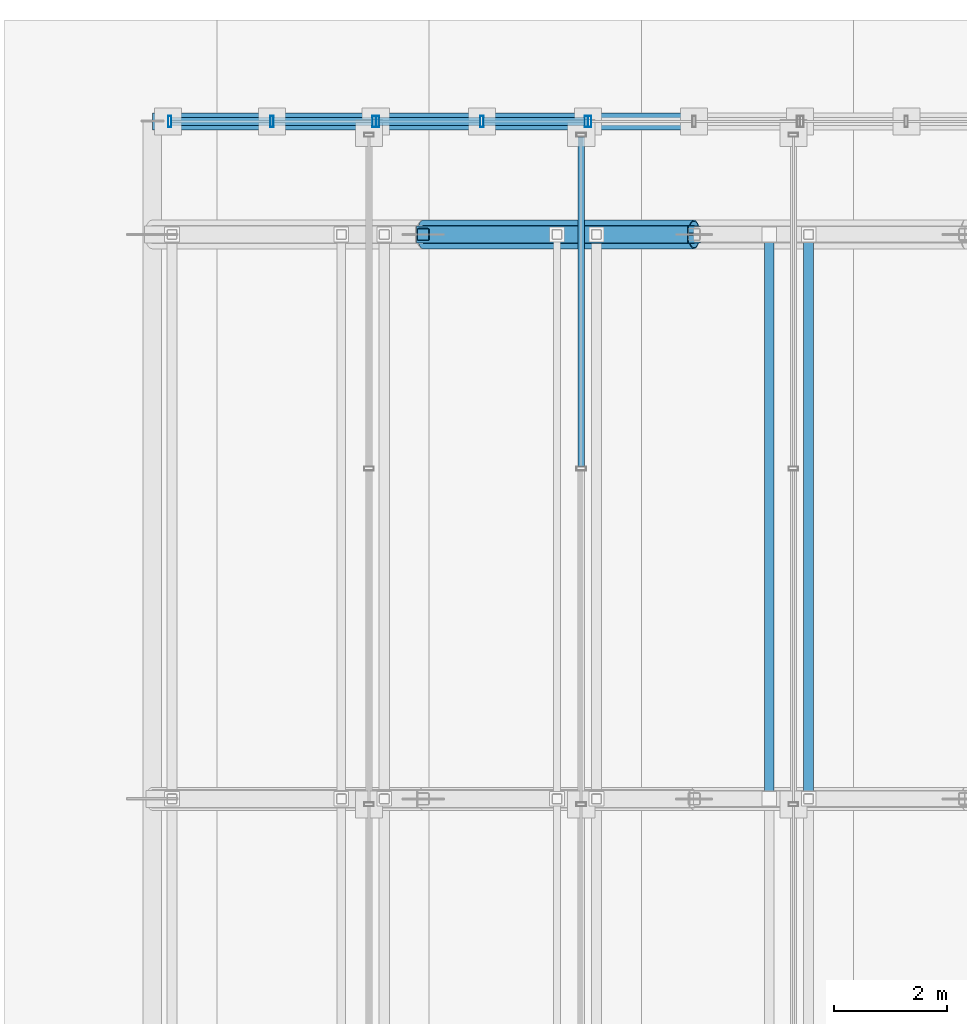
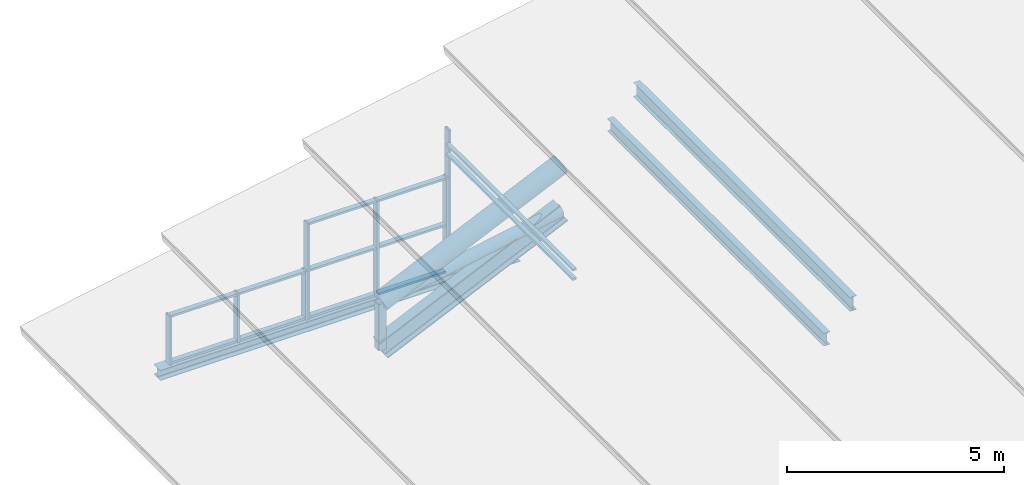
# One storey, part 32 of 117: 25 members, 1 beam, 4 elements without a shape of their own.
"""IFC4 building model written with IfcOpenShell, lengths in metres."""

from ifc_helpers import new_model, si_unit, direction, frame, origin, origin_2d, place, context, subcontext, project, spatial, hollow_rectangle, hollow_circle, i_section, extrude, material, material_profile, profile_set, type_object, element, aggregate, save


model = new_model("IFC4")

# Units and contexts
model_context = context("Model", 3, precision=1e-05, world=origin(), true_north=direction((0.0, 1.0)))
body_context = subcontext(model_context, "Body", "Model", "MODEL_VIEW")
ifc_project = project(units=[si_unit("LENGTHUNIT", "METRE"), si_unit("AREAUNIT", "SQUARE_METRE"), si_unit("VOLUMEUNIT", "CUBIC_METRE"), si_unit("PLANEANGLEUNIT", "RADIAN"), si_unit("MASSUNIT", "GRAM", prefix="KILO")], contexts=[model_context])

# Site, building, storey
site_placement = place(None, origin())
site = spatial("IfcSite", under=ifc_project, at=site_placement, CompositionType="ELEMENT")
building_placement = place(site_placement, origin())
building = spatial("IfcBuilding", under=site, at=building_placement, Name="Merenkruunu Market Hall", CompositionType="ELEMENT")
storey_placement = place(building_placement, frame((0.0, 0.0, 22.800048828125)))
storey = spatial("IfcBuildingStorey", under=building, at=storey_placement, Name="RF", CompositionType="ELEMENT", Elevation=22.800048828125)

# Members
ifc_material_1 = material(Name="Steel S355ML", Category="steel")
ifc_material_profile_1 = material_profile(ifc_material_1, hollow_circle(Radius=0.25390625, WallThickness=0.02001953125, at=origin_2d()), Name="CHS 508x20")
ifc_profile_set_1 = profile_set([ifc_material_profile_1], Name="Steel S355ML")
member_type_1 = type_object("IfcMemberType", Name="Arch Truss Chord TC01", PredefinedType="CHORD", material=ifc_profile_set_1)
member_1_placement = place(storey_placement, frame((4.800048828125, 109.60009765625, -7.316162109375), z_axis=(0.909419998666, 0.0, 0.415878907889), x_axis=(0.0, 1.0, 0.0)))
element("IfcMember", 1, at=member_1_placement, inside=storey, type_object=member_type_1, Name="TRUSS-AT-G-TOP-02", PredefinedType="CHORD", context=body_context, shape_type="SweptSolid", body=[
    extrude(hollow_circle(Radius=0.25390625, WallThickness=0.02001953125, at=origin_2d()), origin(), (0.0, 0.0, 1.0), 5.278076171875),
])
ifc_material_profile_2 = material_profile(ifc_material_1, i_section(OverallWidth=0.300048828125, OverallDepth=0.550048828125, WebThickness=0.014892578125, FlangeThickness=0.029052734375, FilletRadius=0.027099609375, at=origin_2d()), Name="HEB 550")
ifc_profile_set_2 = profile_set([ifc_material_profile_2], Name="Steel S355ML")
member_type_2 = type_object("IfcMemberType", Name="Arch Truss Chord TC03", PredefinedType="CHORD", material=ifc_profile_set_2)
member_2_placement = place(storey_placement, frame((4.800048828125, 109.60009765625, -8.615966796875), z_axis=(0.909437492245, 0.0, 0.415840651812), x_axis=(0.0, 1.0, 0.0)))
element("IfcMember", 2, at=member_2_placement, inside=storey, type_object=member_type_2, Name="TRUSS-AT-G-BOT-02", PredefinedType="CHORD", context=body_context, shape_type="SweptSolid", body=[
    extrude(i_section(OverallWidth=0.300048828125, OverallDepth=0.550048828125, WebThickness=0.014892578125, FlangeThickness=0.029052734375, FilletRadius=0.027099609375, at=origin_2d()), origin(), (0.0, 0.0, 1.0), 5.278076171875),
])

# Curtain wall, members
ifc_material_2 = material(Name="Powder-coated aluminium", Category="aluminium")
curtain_wall_type_1 = type_object("IfcCurtainWallType", Name="Clerestory Curtain Band CL03", PredefinedType="USERDEFINED", material=ifc_material_2)
curtain_wall_1_placement = place(storey_placement, origin())
curtain_wall_1 = element("IfcCurtainWall", 3, at=curtain_wall_1_placement, inside=storey, type_object=curtain_wall_type_1, Name="CW-RF-CWM03-067", ObjectType="CLERESTORY_BAND", PredefinedType="USERDEFINED")
ifc_material_profile_3 = material_profile(ifc_material_2, hollow_rectangle(XDim=0.06005859375, YDim=0.199951171875, WallThickness=0.0048828125, at=origin_2d()), Name="ALU 60x200x5")
ifc_profile_set_3 = profile_set([ifc_material_profile_3], Name="Powder-coated aluminium")
member_type_3 = type_object("IfcMemberType", Name="Curtain Wall Mullion CWM03", PredefinedType="MULLION", material=ifc_profile_set_3)
member_3_placement = place(storey_placement, frame((0.31005859375, 111.60009765625, -8.68994140625), z_axis=(0.0, 0.0, 1.0), x_axis=(1.0, 0.0, 0.0)))
member_3 = element("IfcMember", 4, at=member_3_placement, type_object=member_type_3, Name="CL03 mullion 1", PredefinedType="MULLION", context=body_context, shape_type="SweptSolid", body=[
    extrude(hollow_rectangle(XDim=0.06005859375, YDim=0.199951171875, WallThickness=0.0048828125, at=origin_2d()), origin(), (0.0, 0.0, 1.0), 1.369873046875),
])
member_4_placement = place(storey_placement, frame((2.1201171875, 111.60009765625, -8.68994140625), z_axis=(0.0, 0.0, 1.0), x_axis=(1.0, 0.0, 0.0)))
member_4 = element("IfcMember", 5, at=member_4_placement, type_object=member_type_3, Name="CL03 mullion 2", PredefinedType="MULLION", context=body_context, shape_type="SweptSolid", body=[
    extrude(hollow_rectangle(XDim=0.06005859375, YDim=0.199951171875, WallThickness=0.0048828125, at=origin_2d()), origin(), (0.0, 0.0, 1.0), 1.369873046875),
])
member_5_placement = place(storey_placement, frame((3.929931640625, 111.60009765625, -8.68994140625), z_axis=(0.0, 0.0, 1.0), x_axis=(1.0, 0.0, 0.0)))
member_5 = element("IfcMember", 6, at=member_5_placement, type_object=member_type_3, Name="CL03 mullion 3", PredefinedType="MULLION", context=body_context, shape_type="SweptSolid", body=[
    extrude(hollow_rectangle(XDim=0.06005859375, YDim=0.199951171875, WallThickness=0.0048828125, at=origin_2d()), origin(), (0.0, 0.0, 1.0), 1.369873046875),
])

curtain_wall_type_2 = type_object("IfcCurtainWallType", Name="Glazed Curtain Wall CW17", PredefinedType="USERDEFINED", material=ifc_material_2)
curtain_wall_2_placement = place(storey_placement, origin())
curtain_wall_2 = element("IfcCurtainWall", 7, at=curtain_wall_2_placement, inside=storey, type_object=curtain_wall_type_2, Name="CW-RF-CWM03-068", ObjectType="GLAZED_FACADE", PredefinedType="USERDEFINED")
member_6_placement = place(storey_placement, frame((3.989990234375, 111.60009765625, -8.68994140625), z_axis=(0.0, 0.0, 1.0), x_axis=(1.0, 0.0, 0.0)))
member_6 = element("IfcMember", 8, at=member_6_placement, type_object=member_type_3, Name="CW17 mullion 1", PredefinedType="MULLION", context=body_context, shape_type="SweptSolid", body=[
    extrude(hollow_rectangle(XDim=0.06005859375, YDim=0.199951171875, WallThickness=0.0048828125, at=origin_2d()), origin(), (0.0, 0.0, 1.0), 2.68994140625),
])
member_7_placement = place(storey_placement, frame((5.840087890625, 111.60009765625, -8.68994140625), z_axis=(0.0, 0.0, 1.0), x_axis=(1.0, 0.0, 0.0)))
member_7 = element("IfcMember", 9, at=member_7_placement, type_object=member_type_3, Name="CW17 mullion 2", PredefinedType="MULLION", context=body_context, shape_type="SweptSolid", body=[
    extrude(hollow_rectangle(XDim=0.06005859375, YDim=0.199951171875, WallThickness=0.0048828125, at=origin_2d()), origin(), (0.0, 0.0, 1.0), 2.68994140625),
])
member_8_placement = place(storey_placement, frame((7.68994140625, 111.60009765625, -8.68994140625), z_axis=(0.0, 0.0, 1.0), x_axis=(1.0, 0.0, 0.0)))
member_8 = element("IfcMember", 10, at=member_8_placement, type_object=member_type_3, Name="CW17 mullion 3", PredefinedType="MULLION", context=body_context, shape_type="SweptSolid", body=[
    extrude(hollow_rectangle(XDim=0.06005859375, YDim=0.199951171875, WallThickness=0.0048828125, at=origin_2d()), origin(), (0.0, 0.0, 1.0), 2.68994140625),
])

# Curtain wall, member
curtain_wall_3_placement = place(storey_placement, origin())
curtain_wall_3 = element("IfcCurtainWall", 11, at=curtain_wall_3_placement, inside=storey, type_object=curtain_wall_type_2, Name="CW-RF-CWM03-069", ObjectType="GLAZED_FACADE", PredefinedType="USERDEFINED")
member_9_placement = place(storey_placement, frame((7.75, 111.60009765625, -8.68994140625), z_axis=(0.0, 0.0, 1.0), x_axis=(1.0, 0.0, 0.0)))
member_9 = element("IfcMember", 12, at=member_9_placement, type_object=member_type_3, Name="CW17 mullion 1", PredefinedType="MULLION", context=body_context, shape_type="SweptSolid", body=[
    extrude(hollow_rectangle(XDim=0.06005859375, YDim=0.199951171875, WallThickness=0.0048828125, at=origin_2d()), origin(), (0.0, 0.0, 1.0), 4.010009765625),
])
aggregate(curtain_wall_3, [member_9])

# Member
ifc_material_profile_4 = material_profile(ifc_material_2, hollow_rectangle(XDim=0.06005859375, YDim=0.139892578125, WallThickness=0.00390625, at=origin_2d()), Name="ALU 60x140x4")
ifc_profile_set_4 = profile_set([ifc_material_profile_4], Name="Powder-coated aluminium")
member_type_4 = type_object("IfcMemberType", Name="Curtain Wall Transom CWT02", PredefinedType="USERDEFINED", material=ifc_profile_set_4)
member_10_placement = place(storey_placement, frame((0.340087890625, 111.60009765625, -8.66015625), z_axis=(1.0, 0.0, 0.0), x_axis=(0.0, 0.0, 1.0)))
member_10 = element("IfcMember", 13, at=member_10_placement, type_object=member_type_4, Name="CL03 transom 1.1", ObjectType="TRANSOM", PredefinedType="USERDEFINED", context=body_context, shape_type="SweptSolid", body=[
    extrude(hollow_rectangle(XDim=0.06005859375, YDim=0.139892578125, WallThickness=0.00390625, at=origin_2d()), origin(), (0.0, 0.0, 1.0), 1.75),
])

member_11_placement = place(storey_placement, frame((0.340087890625, 111.60009765625, -7.35009765625), z_axis=(1.0, 0.0, 0.0), x_axis=(0.0, 0.0, 1.0)))
member_11 = element("IfcMember", 14, at=member_11_placement, type_object=member_type_4, Name="CL03 transom 1.2", ObjectType="TRANSOM", PredefinedType="USERDEFINED", context=body_context, shape_type="SweptSolid", body=[
    extrude(hollow_rectangle(XDim=0.06005859375, YDim=0.139892578125, WallThickness=0.00390625, at=origin_2d()), origin(), (0.0, 0.0, 1.0), 1.75),
])

member_12_placement = place(storey_placement, frame((2.14990234375, 111.60009765625, -8.66015625), z_axis=(1.0, 0.0, 0.0), x_axis=(0.0, 0.0, 1.0)))
member_12 = element("IfcMember", 15, at=member_12_placement, type_object=member_type_4, Name="CL03 transom 2.1", ObjectType="TRANSOM", PredefinedType="USERDEFINED", context=body_context, shape_type="SweptSolid", body=[
    extrude(hollow_rectangle(XDim=0.06005859375, YDim=0.139892578125, WallThickness=0.00390625, at=origin_2d()), origin(), (0.0, 0.0, 1.0), 1.75),
])

member_13_placement = place(storey_placement, frame((2.14990234375, 111.60009765625, -7.35009765625), z_axis=(1.0, 0.0, 0.0), x_axis=(0.0, 0.0, 1.0)))
member_13 = element("IfcMember", 16, at=member_13_placement, type_object=member_type_4, Name="CL03 transom 2.2", ObjectType="TRANSOM", PredefinedType="USERDEFINED", context=body_context, shape_type="SweptSolid", body=[
    extrude(hollow_rectangle(XDim=0.06005859375, YDim=0.139892578125, WallThickness=0.00390625, at=origin_2d()), origin(), (0.0, 0.0, 1.0), 1.75),
])

aggregate(curtain_wall_1, [member_3, member_4, member_5, member_10, member_11, member_12, member_13])

member_14_placement = place(storey_placement, frame((4.02001953125, 111.60009765625, -8.66015625), z_axis=(1.0, 0.0, 0.0), x_axis=(0.0, 0.0, 1.0)))
member_14 = element("IfcMember", 17, at=member_14_placement, type_object=member_type_4, Name="CW17 transom 1.1", ObjectType="TRANSOM", PredefinedType="USERDEFINED", context=body_context, shape_type="SweptSolid", body=[
    extrude(hollow_rectangle(XDim=0.06005859375, YDim=0.139892578125, WallThickness=0.00390625, at=origin_2d()), origin(), (0.0, 0.0, 1.0), 1.7900390625),
])

member_15_placement = place(storey_placement, frame((4.02001953125, 111.60009765625, -7.344970703125), z_axis=(1.0, 0.0, 0.0), x_axis=(0.0, 0.0, 1.0)))
member_15 = element("IfcMember", 18, at=member_15_placement, type_object=member_type_4, Name="CW17 transom 1.2", ObjectType="TRANSOM", PredefinedType="USERDEFINED", context=body_context, shape_type="SweptSolid", body=[
    extrude(hollow_rectangle(XDim=0.06005859375, YDim=0.139892578125, WallThickness=0.00390625, at=origin_2d()), origin(), (0.0, 0.0, 1.0), 1.7900390625),
])

member_16_placement = place(storey_placement, frame((4.02001953125, 111.60009765625, -6.030029296875), z_axis=(1.0, 0.0, 0.0), x_axis=(0.0, 0.0, 1.0)))
member_16 = element("IfcMember", 19, at=member_16_placement, type_object=member_type_4, Name="CW17 transom 1.3", ObjectType="TRANSOM", PredefinedType="USERDEFINED", context=body_context, shape_type="SweptSolid", body=[
    extrude(hollow_rectangle(XDim=0.06005859375, YDim=0.139892578125, WallThickness=0.00390625, at=origin_2d()), origin(), (0.0, 0.0, 1.0), 1.7900390625),
])

member_17_placement = place(storey_placement, frame((5.8701171875, 111.60009765625, -8.66015625), z_axis=(1.0, 0.0, 0.0), x_axis=(0.0, 0.0, 1.0)))
member_17 = element("IfcMember", 20, at=member_17_placement, type_object=member_type_4, Name="CW17 transom 2.1", ObjectType="TRANSOM", PredefinedType="USERDEFINED", context=body_context, shape_type="SweptSolid", body=[
    extrude(hollow_rectangle(XDim=0.06005859375, YDim=0.139892578125, WallThickness=0.00390625, at=origin_2d()), origin(), (0.0, 0.0, 1.0), 1.789794921875),
])

member_18_placement = place(storey_placement, frame((5.8701171875, 111.60009765625, -7.344970703125), z_axis=(1.0, 0.0, 0.0), x_axis=(0.0, 0.0, 1.0)))
member_18 = element("IfcMember", 21, at=member_18_placement, type_object=member_type_4, Name="CW17 transom 2.2", ObjectType="TRANSOM", PredefinedType="USERDEFINED", context=body_context, shape_type="SweptSolid", body=[
    extrude(hollow_rectangle(XDim=0.06005859375, YDim=0.139892578125, WallThickness=0.00390625, at=origin_2d()), origin(), (0.0, 0.0, 1.0), 1.789794921875),
])

member_19_placement = place(storey_placement, frame((5.8701171875, 111.60009765625, -6.030029296875), z_axis=(1.0, 0.0, 0.0), x_axis=(0.0, 0.0, 1.0)))
member_19 = element("IfcMember", 22, at=member_19_placement, type_object=member_type_4, Name="CW17 transom 2.3", ObjectType="TRANSOM", PredefinedType="USERDEFINED", context=body_context, shape_type="SweptSolid", body=[
    extrude(hollow_rectangle(XDim=0.06005859375, YDim=0.139892578125, WallThickness=0.00390625, at=origin_2d()), origin(), (0.0, 0.0, 1.0), 1.789794921875),
])

aggregate(curtain_wall_2, [member_6, member_7, member_8, member_14, member_15, member_16, member_17, member_18, member_19])

# Curtain wall, members
curtain_wall_type_3 = type_object("IfcCurtainWallType", Name="Clerestory Curtain Band CL05", PredefinedType="USERDEFINED", material=ifc_material_2)
curtain_wall_4_placement = place(storey_placement, origin())
curtain_wall_4 = element("IfcCurtainWall", 23, at=curtain_wall_4_placement, inside=storey, type_object=curtain_wall_type_3, Name="CW-RF-CWM04-095", ObjectType="CLERESTORY_BAND", PredefinedType="USERDEFINED")
ifc_material_profile_5 = material_profile(ifc_material_2, hollow_rectangle(XDim=0.06005859375, YDim=0.110107421875, WallThickness=0.00390625, at=origin_2d()), Name="ALU 60x110x4")
ifc_profile_set_5 = profile_set([ifc_material_profile_5], Name="Powder-coated aluminium")
member_type_5 = type_object("IfcMemberType", Name="Curtain Wall Transom CWT03", PredefinedType="USERDEFINED", material=ifc_profile_set_5)
member_20_placement = place(storey_placement, frame((7.60009765625, 105.485107421875, -5.172119140625), z_axis=(0.0, 1.0, 0.0), x_axis=(0.0, 0.0, 1.0)))
member_20 = element("IfcMember", 24, at=member_20_placement, type_object=member_type_5, Name="CL05 transom 4.1", ObjectType="TRANSOM", PredefinedType="USERDEFINED", context=body_context, shape_type="SweptSolid", body=[
    extrude(hollow_rectangle(XDim=0.06005859375, YDim=0.110107421875, WallThickness=0.00390625, at=origin_2d()), origin(), (0.0, 0.0, 1.0), 5.844970703125),
])
member_21_placement = place(storey_placement, frame((7.60009765625, 105.485107421875, -4.905029296875), z_axis=(0.0, 1.0, 0.0), x_axis=(0.0, 0.0, 1.0)))
member_21 = element("IfcMember", 25, at=member_21_placement, type_object=member_type_5, Name="CL05 transom 4.2", ObjectType="TRANSOM", PredefinedType="USERDEFINED", context=body_context, shape_type="SweptSolid", body=[
    extrude(hollow_rectangle(XDim=0.06005859375, YDim=0.110107421875, WallThickness=0.00390625, at=origin_2d()), origin(), (0.0, 0.0, 1.0), 5.844970703125),
])
aggregate(curtain_wall_4, [member_20, member_21])

# Members
ifc_material_profile_6 = material_profile(ifc_material_1, hollow_circle(Radius=0.161865234375, WallThickness=0.01611328125, at=origin_2d()), Name="CHS 323.9x16")
ifc_profile_set_6 = profile_set([ifc_material_profile_6], Name="Steel S355ML")
member_type_6 = type_object("IfcMemberType", Name="Diagonal Sway Brace BR01", PredefinedType="BRACE", material=ifc_profile_set_6)
member_22_placement = place(storey_placement, frame((4.800048828125, 109.60009765625, -7.316162109375), z_axis=(0.983056786802, 0.0, 0.18330126547), x_axis=(0.0, 1.0, 0.0)))
element("IfcMember", 26, at=member_22_placement, inside=storey, type_object=member_type_6, Name="TRUSS-AT-G-DIAG-02", PredefinedType="BRACE", context=body_context, shape_type="SweptSolid", body=[
    extrude(hollow_circle(Radius=0.161865234375, WallThickness=0.01611328125, at=origin_2d()), origin(), (0.0, 0.0, 1.0), 4.8828125),
])
ifc_material_3 = material(Name="Steel S355J2", Category="steel")
ifc_material_profile_7 = material_profile(ifc_material_3, hollow_rectangle(XDim=0.219970703125, YDim=0.219970703125, WallThickness=0.012451171875, InnerFilletRadius=0.012451171875, OuterFilletRadius=0.02490234375, at=origin_2d()), Name="SHS 220x220x12.5")
ifc_profile_set_7 = profile_set([ifc_material_profile_7], Name="Steel S355J2")
member_type_7 = type_object("IfcMemberType", Name="Diagonal Sway Brace BR04", PredefinedType="BRACE", material=ifc_profile_set_7)
member_23_placement = place(storey_placement, frame((4.800048828125, 109.60009765625, -8.615966796875), z_axis=(0.0, 0.0, 1.0), x_axis=(1.0, 0.0, 0.0)))
element("IfcMember", 27, at=member_23_placement, inside=storey, type_object=member_type_7, Name="TRUSS-AT-G-POST-01", PredefinedType="BRACE", context=body_context, shape_type="SweptSolid", body=[
    extrude(hollow_rectangle(XDim=0.219970703125, YDim=0.219970703125, WallThickness=0.012451171875, InnerFilletRadius=0.012451171875, OuterFilletRadius=0.02490234375, at=origin_2d()), origin(), (0.0, 0.0, 1.0), 1.2998046875),
])

# Beam
ifc_material_profile_8 = material_profile(ifc_material_3, i_section(OverallWidth=0.300048828125, OverallDepth=0.2900390625, WebThickness=0.008544921875, FlangeThickness=0.013916015625, FilletRadius=0.027099609375, at=origin_2d()), Name="HEA 300")
ifc_profile_set_8 = profile_set([ifc_material_profile_8], Name="Steel S355J2")
beam_type = type_object("IfcBeamType", Name="Primary Floor Girder B09", PredefinedType="BEAM", material=ifc_profile_set_8)
beam_placement = place(storey_placement, frame((0.0, 111.60009765625, -8.844970703125), z_axis=(1.0, 0.0, 0.0), x_axis=(0.0, 1.0, 0.0)))
element("IfcBeam", 28, at=beam_placement, inside=storey, type_object=beam_type, Name="BM-RF-B09-1240", PredefinedType="BEAM", context=body_context, shape_type="SweptSolid", body=[
    extrude(i_section(OverallWidth=0.300048828125, OverallDepth=0.2900390625, WebThickness=0.008544921875, FlangeThickness=0.013916015625, FilletRadius=0.027099609375, at=origin_2d()), origin(), (0.0, 0.0, 1.0), 9.60009765625),
])

# Members
ifc_material_profile_9 = material_profile(ifc_material_1, i_section(OverallWidth=0.169921875, OverallDepth=0.360107421875, WebThickness=0.008056640625, FlangeThickness=0.0126953125, FilletRadius=0.01806640625, at=origin_2d()), Name="IPE 360")
ifc_profile_set_9 = profile_set([ifc_material_profile_9], Name="Steel S355ML")
member_type_8 = type_object("IfcMemberType", Name="Roof Purlin Rafter PR03", PredefinedType="PURLIN", material=ifc_profile_set_9)
member_24_placement = place(storey_placement, frame((10.929931640625, 99.60009765625, -4.452392578125), z_axis=(0.0, 1.0, 0.0), x_axis=(-1.0, 0.0, 0.0)))
element("IfcMember", 29, at=member_24_placement, inside=storey, type_object=member_type_8, Name="MEM-RF-PURL-W-095", PredefinedType="PURLIN", context=body_context, shape_type="SweptSolid", body=[
    extrude(i_section(OverallWidth=0.169921875, OverallDepth=0.360107421875, WebThickness=0.008056640625, FlangeThickness=0.0126953125, FilletRadius=0.01806640625, at=origin_2d()), origin(), (0.0, 0.0, 1.0), 10.0),
])
ifc_material_profile_10 = material_profile(ifc_material_1, i_section(OverallWidth=0.179931640625, OverallDepth=0.39990234375, WebThickness=0.008544921875, FlangeThickness=0.013427734375, FilletRadius=0.02099609375, at=origin_2d()), Name="IPE 400")
ifc_profile_set_10 = profile_set([ifc_material_profile_10], Name="Steel S355ML")
member_type_9 = type_object("IfcMemberType", Name="Roof Purlin Rafter PR09", PredefinedType="PURLIN", material=ifc_profile_set_10)
member_25_placement = place(storey_placement, frame((11.6298828125, 99.60009765625, -3.699951171875), z_axis=(0.0, 1.0, 0.0), x_axis=(-1.0, 0.0, 0.0)))
element("IfcMember", 30, at=member_25_placement, inside=storey, type_object=member_type_9, Name="MEM-RF-PURL-W-111", PredefinedType="PURLIN", context=body_context, shape_type="SweptSolid", body=[
    extrude(i_section(OverallWidth=0.179931640625, OverallDepth=0.39990234375, WebThickness=0.008544921875, FlangeThickness=0.013427734375, FilletRadius=0.02099609375, at=origin_2d()), origin(), (0.0, 0.0, 1.0), 10.0),
])

save(model, "model.ifc")
